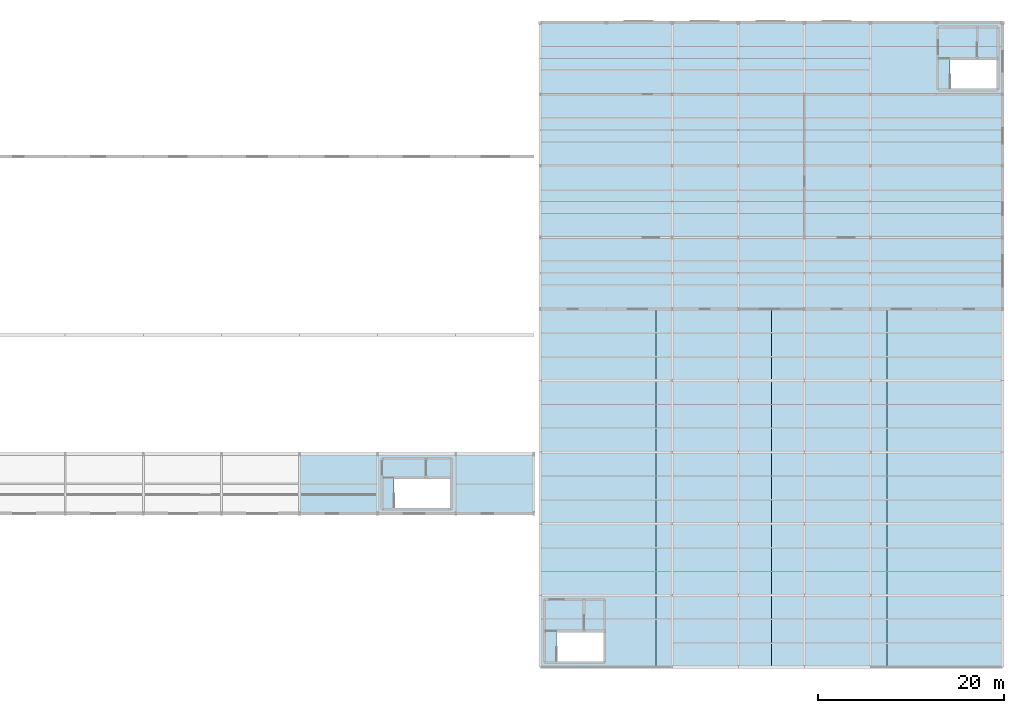
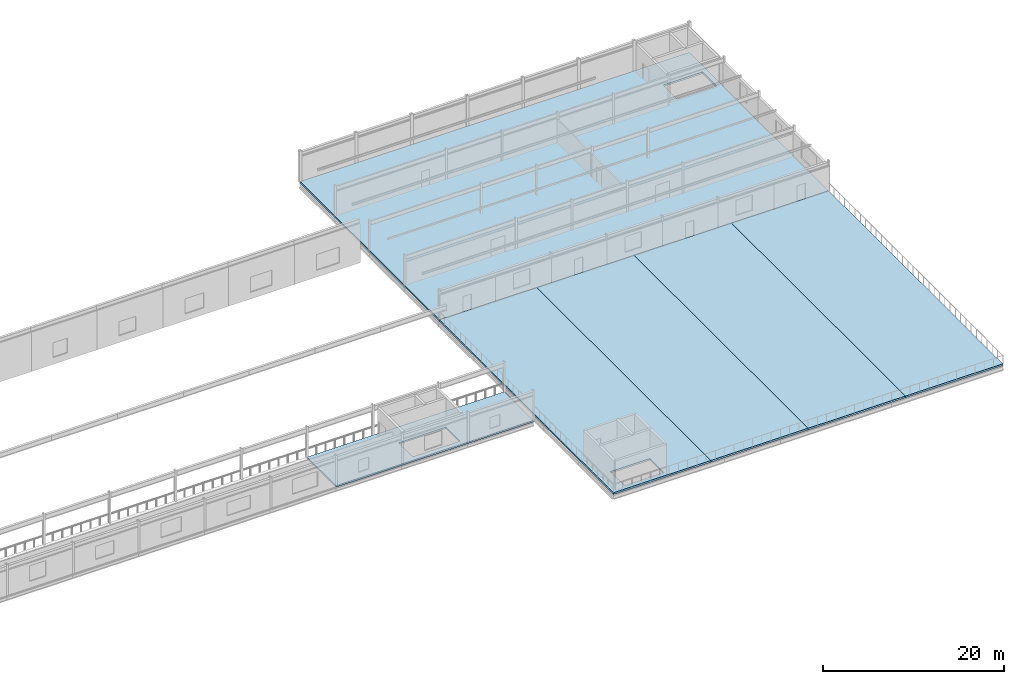
# One storey, part 28 of 39: 6 slabs.
"""IFC4 building model written with IfcOpenShell, lengths in metres."""

from ifc_helpers import new_model, si_unit, direction, frame, origin, place, context, subcontext, project, spatial, polyline, outline, extrude, material, layer, layer_set, type_object, element, save


model = new_model("IFC4")

# Units and contexts
model_context = context("Model", 3, precision=1e-05, world=origin(), true_north=direction((0.0, 1.0)))
body_context = subcontext(model_context, "Body", "Model", "MODEL_VIEW")
ifc_project = project(units=[si_unit("LENGTHUNIT", "METRE"), si_unit("AREAUNIT", "SQUARE_METRE"), si_unit("VOLUMEUNIT", "CUBIC_METRE"), si_unit("PLANEANGLEUNIT", "RADIAN"), si_unit("MASSUNIT", "GRAM", prefix="KILO")], contexts=[model_context])

# Site, building, storey
site_placement = place(None, origin())
site = spatial("IfcSite", under=ifc_project, at=site_placement, CompositionType="ELEMENT")
building_placement = place(site_placement, origin())
building = spatial("IfcBuilding", under=site, at=building_placement, Name="Kazenagashi Tramway Depot", CompositionType="ELEMENT")
storey_placement = place(building_placement, frame((0.0, 0.0, 11.1)))
storey = spatial("IfcBuildingStorey", under=building, at=storey_placement, Name="L03", CompositionType="ELEMENT", Elevation=11.1)

# Slabs
ifc_material = material(Name="Concrete Fc36", Category="concrete")
ifc_layer_1 = layer(ifc_material, 0.25)
ifc_layer_set_1 = layer_set([ifc_layer_1], Name="Concrete Fc36")
slab_type_1 = type_object("IfcSlabType", Name="SL-04", PredefinedType="FLOOR", material=ifc_layer_set_1)
slab_1_placement = place(storey_placement, frame((0.0, 0.0, -0.25)))
element("IfcSlab", 1, at=slab_1_placement, inside=storey, type_object=slab_type_1, Name="BESS Plant L03 Slab SLAB-090", PredefinedType="FLOOR", context=body_context, shape_type="SweptSolid", body=[
    extrude(outline(polyline([(146.3, 69.3), (196.0, 69.3), (196.0, 38.5), (146.3, 38.5), (146.3, 69.3)]), holes=[polyline([(195.39, 65.3), (190.36, 65.3), (190.36, 62.21), (195.39, 62.21), (195.39, 65.3)])]), origin(), (0.0, 0.0, 1.0), 0.25),
])
ifc_layer_2 = layer(ifc_material, 0.21)
ifc_layer_set_2 = layer_set([ifc_layer_2], Name="Concrete Fc36")
slab_type_2 = type_object("IfcSlabType", Name="SL-06", PredefinedType="FLOOR", material=ifc_layer_set_2)
slab_2_placement = place(storey_placement, frame((0.0, 0.0, -0.21)))
element("IfcSlab", 2, at=slab_2_placement, inside=storey, type_object=slab_type_2, Name="Viewing Gallery L03 Slab 4 SLAB-089", PredefinedType="FLOOR", context=body_context, shape_type="SweptSolid", body=[
    extrude(outline(polyline([(120.4, 22.9), (145.6, 22.9), (145.6, 16.5), (120.4, 16.5), (120.4, 22.9)]), holes=[polyline([(136.59, 20.2), (130.56, 20.2), (130.56, 17.11), (136.59, 17.11), (136.59, 20.2)])]), origin(), (0.0, 0.0, 1.0), 0.21),
])
ifc_layer_3 = layer(ifc_material, 0.24)
ifc_layer_set_3 = layer_set([ifc_layer_3], Name="Concrete Fc36")
slab_type_3 = type_object("IfcSlabType", Name="SL-09", PredefinedType="FLOOR", material=ifc_layer_set_3)
slab_3_placement = place(storey_placement, frame((0.0, 0.0, -0.24)))
element("IfcSlab", 3, at=slab_3_placement, inside=storey, type_object=slab_type_3, Name="Wash Plant Planted Roof Garden 1 SLAB-091", PredefinedType="FLOOR", context=body_context, shape_type="SweptSolid", body=[
    extrude(outline(polyline([(146.3, 38.5), (158.725, 38.5), (158.725, 0.0), (146.3, 0.0), (146.3, 38.5)]), holes=[polyline([(153.09, 3.7), (148.06, 3.7), (148.06, 0.61), (153.09, 0.61), (153.09, 3.7)])]), origin(), (0.0, 0.0, 1.0), 0.24),
])
slab_4_placement = place(storey_placement, frame((0.0, 0.0, -0.24)))
element("IfcSlab", 4, at=slab_4_placement, inside=storey, type_object=slab_type_3, Name="Wash Plant Planted Roof Garden 2 SLAB-092", PredefinedType="FLOOR", context=body_context, shape_type="SweptSolid", body=[
    extrude(outline(polyline([(158.725, 0.0), (171.15, 0.0), (171.15, 38.5), (158.725, 38.5), (158.725, 0.0)])), origin(), (0.0, 0.0, 1.0), 0.24),
])
slab_5_placement = place(storey_placement, frame((0.0, 0.0, -0.24)))
element("IfcSlab", 5, at=slab_5_placement, inside=storey, type_object=slab_type_3, Name="Wash Plant Planted Roof Garden 3 SLAB-093", PredefinedType="FLOOR", context=body_context, shape_type="SweptSolid", body=[
    extrude(outline(polyline([(171.15, 0.0), (183.575, 0.0), (183.575, 38.5), (171.15, 38.5), (171.15, 0.0)])), origin(), (0.0, 0.0, 1.0), 0.24),
])
slab_6_placement = place(storey_placement, frame((0.0, 0.0, -0.24)))
element("IfcSlab", 6, at=slab_6_placement, inside=storey, type_object=slab_type_3, Name="Wash Plant Planted Roof Garden 4 SLAB-094", PredefinedType="FLOOR", context=body_context, shape_type="SweptSolid", body=[
    extrude(outline(polyline([(183.575, 0.0), (196.0, 0.0), (196.0, 38.5), (183.575, 38.5), (183.575, 0.0)])), origin(), (0.0, 0.0, 1.0), 0.24),
])

save(model, "model.ifc")
